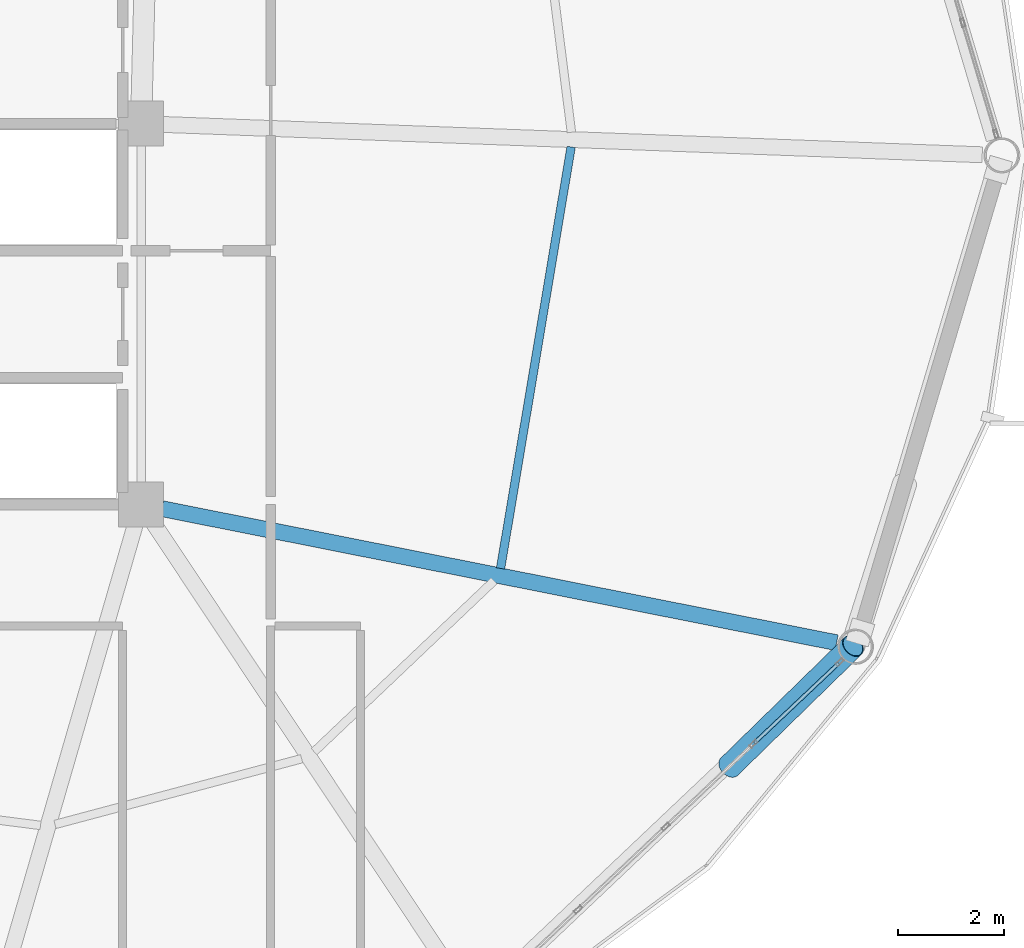
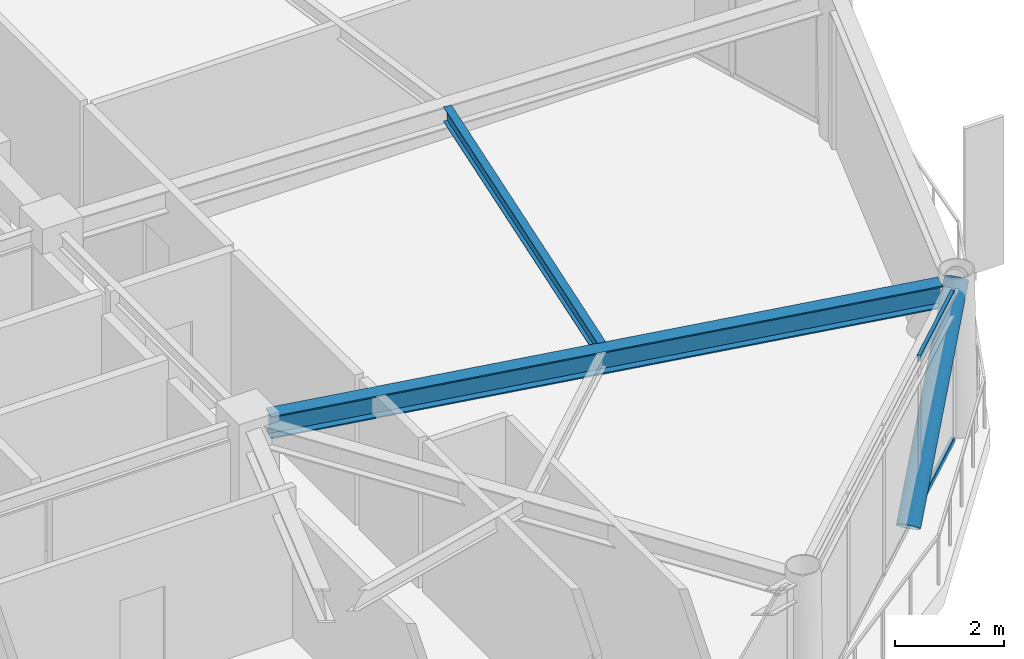
# One storey, part 10 of 25: 3 members, 2 beams, 1 element without a shape of its own.
"""IFC4 building model written with IfcOpenShell, lengths in metres."""

import ifcopenshell
import ifcopenshell.guid

model = None  # the IFC model being written
_history = None  # IfcOwnerHistory: only IFC2X3 demands one
_inside = {}  # id of a spatial element -> (the spatial element, [elements in it])
_under = {}  # id of a project, library or spatial element -> (it, [spatial elements below it])
_declared = {}  # id of a project -> (the project, [libraries it declares])
_typed = {}  # id of a type object -> (the type object, [elements of that type])
_made_of = {}  # id of a material, layer set ... -> (it, [elements and type objects made of it])


def new_model(schema):
    """Start an empty IFC model of exactly this schema.

    Asked for "IFC4X3", IfcOpenShell would pick the latest addendum, in which some entities
    have other attributes; the version numbers below select the first issue.
    IFC2X3 requires an IfcOwnerHistory on every rooted entity: one is made here for all.
    """
    global model, _history
    if schema == "IFC4X3":
        model = ifcopenshell.file(schema_version=(4, 3, 0, 0))
    else:
        model = ifcopenshell.file(schema=schema)
    _inside.clear()
    _under.clear()
    _declared.clear()
    _typed.clear()
    _made_of.clear()
    _history = None
    if model.schema == "IFC2X3":
        org = make("IfcOrganization", Name="unknown")
        user = make(
            "IfcPersonAndOrganization",
            ThePerson=make("IfcPerson", FamilyName="unknown"),
            TheOrganization=org,
        )
        app = make(
            "IfcApplication",
            ApplicationDeveloper=org,
            Version="unknown",
            ApplicationFullName="unknown",
            ApplicationIdentifier="unknown",
        )
        _history = make(
            "IfcOwnerHistory",
            OwningUser=user,
            OwningApplication=app,
            ChangeAction="ADDED",
            CreationDate=0,
        )
    return model


def make(cls, **values):
    """One entity of the class cls with the attributes given. An attribute that is None is left unset."""
    return model.create_entity(
        cls, **{name: value for name, value in values.items() if value is not None}
    )


def rooted(cls, **values):
    """An entity with a GlobalId (a new one), such as an element, a storey or a relation."""
    return make(cls, GlobalId=ifcopenshell.guid.new(), OwnerHistory=_history, **values)


def si_unit(unit_type, name, prefix=None):
    """IfcSIUnit, for example si_unit("LENGTHUNIT", "METRE", prefix="MILLI")."""
    return make("IfcSIUnit", UnitType=unit_type, Prefix=prefix, Name=name)


def assignment(units):
    """IfcUnitAssignment: the units of a project."""
    return None if units is None else make("IfcUnitAssignment", Units=units)


def point(xyz):
    """IfcCartesianPoint."""
    return None if xyz is None else make("IfcCartesianPoint", Coordinates=xyz)


def direction(xyz):
    """IfcDirection."""
    return None if xyz is None else make("IfcDirection", DirectionRatios=xyz)


def frame(location, z_axis=None, x_axis=None):
    """IfcAxis2Placement3D, a coordinate frame: its origin and axes. An axis left out is left unset."""
    return make(
        "IfcAxis2Placement3D",
        Location=point(location),
        Axis=direction(z_axis),
        RefDirection=direction(x_axis),
    )


def frame_2d(location, x_axis=None):
    """IfcAxis2Placement2D, a coordinate frame in the plane: its origin and x axis."""
    return make(
        "IfcAxis2Placement2D", Location=point(location), RefDirection=direction(x_axis)
    )


def origin():
    """The frame at (0, 0, 0) with its axes left unset."""
    return frame((0.0, 0.0, 0.0))


def origin_2d():
    """The frame at (0, 0) in the plane with its x axis left unset."""
    return frame_2d((0.0, 0.0))


def place(relative_to, where):
    """IfcLocalPlacement: puts the frame where relative to a parent placement (None: the world)."""
    return make(
        "IfcLocalPlacement", PlacementRelTo=relative_to, RelativePlacement=where
    )


def context(
    kind, dimensions, precision=None, world=None, true_north=None, identifier=None
):
    """IfcGeometricRepresentationContext, for example the 3D "Model" context."""
    return make(
        "IfcGeometricRepresentationContext",
        ContextIdentifier=identifier,
        ContextType=kind,
        CoordinateSpaceDimension=dimensions,
        Precision=precision,
        WorldCoordinateSystem=world,
        TrueNorth=true_north,
    )


def subcontext(parent, identifier, kind, view, scale=None):
    """IfcGeometricRepresentationSubContext, for example "Body" below "Model"."""
    return make(
        "IfcGeometricRepresentationSubContext",
        ContextIdentifier=identifier,
        ContextType=kind,
        ParentContext=parent,
        TargetScale=scale,
        TargetView=view,
    )


def project(units=None, contexts=None):
    """IfcProject with its units and contexts."""
    return rooted(
        "IfcProject",
        Name="project",
        RepresentationContexts=contexts,
        UnitsInContext=assignment(units),
    )


def spatial(cls, under=None, at=None, **own):
    """A site, building, storey or space (cls), placed at a placement, below another one or the project."""
    s = rooted(cls, ObjectPlacement=at, **own)
    if under is not None:
        _under.setdefault(under.id(), (under, []))[1].append(s)
    return s


def profile(cls, at=None, kind="AREA", **sizes):
    """A parametric profile (cls). Its sizes go by their IFC names, for example OverallWidth=200.0."""
    return make(cls, ProfileType=kind, Position=at, **sizes)


def hollow_rectangle(**sizes):
    """IfcRectangleHollowProfileDef."""
    return profile("IfcRectangleHollowProfileDef", **sizes)


def hollow_circle(**sizes):
    """IfcCircleHollowProfileDef."""
    return profile("IfcCircleHollowProfileDef", **sizes)


def i_section(**sizes):
    """IfcIShapeProfileDef."""
    return profile("IfcIShapeProfileDef", **sizes)


def extrude(swept, where, along, depth):
    """IfcExtrudedAreaSolid: the profile swept, set in the frame where, extruded along a direction by depth."""
    return make(
        "IfcExtrudedAreaSolid",
        SweptArea=swept,
        Position=where,
        ExtrudedDirection=direction(along),
        Depth=depth,
    )


def shape(context_of_items, identifier, shape_type, items):
    """IfcShapeRepresentation: the items that make up one representation, for example the "Body"."""
    return make(
        "IfcShapeRepresentation",
        ContextOfItems=context_of_items,
        RepresentationIdentifier=identifier,
        RepresentationType=shape_type,
        Items=items,
    )


def material(Name=None, Category=None):
    """IfcMaterial."""
    return make("IfcMaterial", Name=Name, Category=Category)


def layer(
    of_material, thickness, ventilated=None, Name=None, Category=None, Priority=None
):
    """IfcMaterialLayer: one layer of a wall or slab, of a material (None: an air gap)."""
    return make(
        "IfcMaterialLayer",
        Material=of_material,
        LayerThickness=thickness,
        IsVentilated=ventilated,
        Name=Name,
        Category=Category,
        Priority=Priority,
    )


def layer_set(layers, Name=None):
    """IfcMaterialLayerSet."""
    return make("IfcMaterialLayerSet", MaterialLayers=layers, LayerSetName=Name)


def material_profile(
    of_material, cross_section, Name=None, Category=None, Priority=None
):
    """IfcMaterialProfile: a cross section and its material."""
    return make(
        "IfcMaterialProfile",
        Name=Name,
        Material=of_material,
        Profile=cross_section,
        Priority=Priority,
        Category=Category,
    )


def profile_set(profiles, Name=None, composite=None):
    """IfcMaterialProfileSet."""
    return make(
        "IfcMaterialProfileSet",
        Name=Name,
        MaterialProfiles=profiles,
        CompositeProfile=composite,
    )


def made_of(thing, what):
    """Note that an element or type object is made of a material, layer set ...; save() writes the relation."""
    if what is not None:
        _made_of.setdefault(what.id(), (what, []))[1].append(thing)
    return thing


def type_object(cls, material=None, **own):
    """A type object (cls), such as IfcWallType, which elements share."""
    return made_of(rooted(cls, **own), material)


def element(
    cls,
    number,
    at=None,
    inside=None,
    cuts=None,
    type_object=None,
    material=None,
    context=None,
    identifier="Body",
    shape_type=None,
    held_by="IfcProductDefinitionShape",
    body=None,
    shapes=None,
    **own,
):
    """One element of the class cls, such as IfcWall. Its Tag is "e" and its number.

    at: its placement. inside: the storey or other place that contains it. cuts: it is an
    opening in that element (IfcRelVoidsElement). A single representation is given by context,
    identifier, shape_type and body (its items); several are given by shapes. held_by: the class
    of the entity that holds the representations. save() writes the other relations.
    """
    e = rooted(cls, Tag="e%d" % number, ObjectPlacement=at, **own)
    if body is not None:
        shapes = [shape(context, identifier, shape_type, body)]
    if shapes is not None:
        e.Representation = make(held_by, Representations=shapes)
    if inside is not None:
        _inside.setdefault(inside.id(), (inside, []))[1].append(e)
    if cuts is not None:
        rooted(
            "IfcRelVoidsElement", RelatingBuildingElement=cuts, RelatedOpeningElement=e
        )
    if type_object is not None:
        _typed.setdefault(type_object.id(), (type_object, []))[1].append(e)
    return made_of(e, material)


def aggregate(whole, parts):
    """IfcRelAggregates: a whole, such as a stair, and the parts it consists of."""
    return rooted("IfcRelAggregates", RelatingObject=whole, RelatedObjects=parts)


def save(model, path):
    """Write the relations noted so far, then the file.

    IfcRelAggregates (storeys below a building ...), IfcRelContainedInSpatialStructure (elements
    in a storey), IfcRelDefinesByType, IfcRelAssociatesMaterial and IfcRelDeclares: one each for
    every whole, place, type object, material and project.
    """
    for whole, parts in _under.values():
        aggregate(whole, parts)
    for where, things in _inside.values():
        rooted(
            "IfcRelContainedInSpatialStructure",
            RelatedElements=things,
            RelatingStructure=where,
        )
    for kind, things in _typed.values():
        rooted("IfcRelDefinesByType", RelatedObjects=things, RelatingType=kind)
    for what, things in _made_of.values():
        rooted("IfcRelAssociatesMaterial", RelatedObjects=things, RelatingMaterial=what)
    for by, libraries in _declared.values():
        rooted("IfcRelDeclares", RelatingContext=by, RelatedDefinitions=libraries)
    model.write(path)


model = new_model("IFC4")

# Units and contexts
model_context = context("Model", 3, precision=1e-05, world=origin(), true_north=direction((0.0, 1.0)))
body_context = subcontext(model_context, "Body", "Model", "MODEL_VIEW")
ifc_project = project(units=[si_unit("LENGTHUNIT", "METRE"), si_unit("AREAUNIT", "SQUARE_METRE"), si_unit("VOLUMEUNIT", "CUBIC_METRE"), si_unit("PLANEANGLEUNIT", "RADIAN"), si_unit("MASSUNIT", "GRAM", prefix="KILO")], contexts=[model_context])

# Site, building, storey
site_placement = place(None, origin())
site = spatial("IfcSite", under=ifc_project, at=site_placement, CompositionType="ELEMENT")
building_placement = place(site_placement, origin())
building = spatial("IfcBuilding", under=site, at=building_placement, Name="Varnakorn Sky Granary", CompositionType="ELEMENT")
storey_placement = place(building_placement, frame((0.0, 0.0, 178.800048828125)))
storey = spatial("IfcBuildingStorey", under=building, at=storey_placement, Name="L44", CompositionType="ELEMENT", Elevation=178.800048828125)

# Beams
ifc_material_1 = material(Name="Steel S355JR", Category="steel")
ifc_material_profile_1 = material_profile(ifc_material_1, i_section(OverallWidth=0.300048828125, OverallDepth=0.5, WebThickness=0.014404296875, FlangeThickness=0.028076171875, at=origin_2d()), Name="HE 500 B")
ifc_profile_set_1 = profile_set([ifc_material_profile_1], Name="Steel S355JR")
beam_type_1 = type_object("IfcBeamType", Name="BM-RAD-Z4", PredefinedType="BEAM", material=ifc_profile_set_1)
beam_1_placement = place(storey_placement, frame((8.747314453125, -6.678955078125, 3.10986328125), z_axis=(0.980829804412, -0.194866351062, 0.0), x_axis=(0.194866351062, 0.980829804412, 0.0)))
element("IfcBeam", 1, at=beam_1_placement, inside=storey, type_object=beam_type_1, Name="Radial Floor Girder RG12 L44", PredefinedType="BEAM", context=body_context, shape_type="SweptSolid", body=[
    extrude(i_section(OverallWidth=0.300048828125, OverallDepth=0.5, WebThickness=0.014404296875, FlangeThickness=0.028076171875, at=origin_2d()), origin(), (0.0, 0.0, 1.0), 12.999755859375),
])
ifc_material_profile_2 = material_profile(ifc_material_1, i_section(OverallWidth=0.159912109375, OverallDepth=0.330078125, WebThickness=0.007568359375, FlangeThickness=0.011474609375, at=origin_2d()), Name="IPE 330")
ifc_profile_set_2 = profile_set([ifc_material_profile_2], Name="Steel S355JR")
beam_type_2 = type_object("IfcBeamType", Name="BM-SEC-Z4", PredefinedType="BEAM", material=ifc_profile_set_2)
beam_2_placement = place(storey_placement, frame((15.1455078125, -7.807373046875, 3.195068359375), z_axis=(0.16509975663, 0.986276873074, 0.0), x_axis=(-0.986276873074, 0.16509975663, 0.0)))
element("IfcBeam", 2, at=beam_2_placement, inside=storey, type_object=beam_type_2, Name="Secondary Floor Chord Beam MSB12 L44", PredefinedType="BEAM", context=body_context, shape_type="SweptSolid", body=[
    extrude(i_section(OverallWidth=0.159912109375, OverallDepth=0.330078125, WebThickness=0.007568359375, FlangeThickness=0.011474609375, at=origin_2d()), origin(), (0.0, 0.0, 1.0), 8.078369140625),
])

# Curtain wall, members
ifc_material_2 = material(Name="Anodised Bronze Aluminium Alloy 6063-T6", Category="aluminium")
ifc_layer = layer(ifc_material_2, 0.169921875, Name="Anodised Bronze Aluminium Alloy 6063-T6")
ifc_layer_set = layer_set([ifc_layer], Name="Anodised Bronze Aluminium Alloy 6063-T6")
curtain_wall_type = type_object("IfcCurtainWallType", Name="CW-LAB-1", PredefinedType="USERDEFINED", material=ifc_layer_set)
curtain_wall_placement = place(storey_placement, origin())
curtain_wall = element("IfcCurtainWall", 3, at=curtain_wall_placement, inside=storey, type_object=curtain_wall_type, Name="Unitised Curtain Wall CW5 CW-L44-B11", ObjectType="CURTAIN WALL", PredefinedType="USERDEFINED")
ifc_material_profile_3 = material_profile(ifc_material_2, hollow_rectangle(XDim=0.070068359375, YDim=0.139892578125, WallThickness=0.00341796875, at=origin_2d()), Name="ALU TRAN 70x140")
ifc_profile_set_3 = profile_set([ifc_material_profile_3], Name="Anodised Bronze Aluminium Alloy 6063-T6")
member_type_1 = type_object("IfcMemberType", Name="CW-LAB-1-TRAN", PredefinedType="USERDEFINED", material=ifc_profile_set_3)
member_1_placement = place(storey_placement, frame((21.5341796875, -9.603271484375, 0.034912109375), z_axis=(-0.726525784747, -0.687139202854, 0.0), x_axis=(0.687139202854, -0.726525784747, 0.0)))
member_1 = element("IfcMember", 4, at=member_1_placement, type_object=member_type_1, Name="CW5 transom 1.1", ObjectType="TRANSOM", PredefinedType="USERDEFINED", context=body_context, shape_type="SweptSolid", body=[
    extrude(hollow_rectangle(XDim=0.070068359375, YDim=0.139892578125, WallThickness=0.00341796875, at=origin_2d()), origin(), (0.0, 0.0, 1.0), 2.181884765625),
])
member_2_placement = place(storey_placement, frame((21.5341796875, -9.603271484375, 3.324951171875), z_axis=(-0.726525784747, -0.687139202854, 0.0), x_axis=(0.687139202854, -0.726525784747, 0.0)))
member_2 = element("IfcMember", 5, at=member_2_placement, type_object=member_type_1, Name="CW5 transom 1.2", ObjectType="TRANSOM", PredefinedType="USERDEFINED", context=body_context, shape_type="SweptSolid", body=[
    extrude(hollow_rectangle(XDim=0.070068359375, YDim=0.139892578125, WallThickness=0.00341796875, at=origin_2d()), origin(), (0.0, 0.0, 1.0), 2.181884765625),
])
aggregate(curtain_wall, [member_1, member_2])

# Member
ifc_material_3 = material(Name="Steel S460M", Category="steel")
ifc_material_profile_4 = material_profile(ifc_material_3, hollow_circle(Radius=0.228515625, WallThickness=0.01611328125, at=origin_2d()), Name="CHS 457x16")
ifc_profile_set_4 = profile_set([ifc_material_profile_4], Name="Steel S460M")
member_type_2 = type_object("IfcMemberType", Name="MB-DIAG-T3", PredefinedType="BRACE", material=ifc_profile_set_4)
member_3_placement = place(storey_placement, frame((19.4677734375, -11.5576171875, 0.0), z_axis=(0.498954289496, 0.487236857585, 0.716690213135), x_axis=(-0.698655977756, 0.71545777286, 0.0)))
element("IfcMember", 6, at=member_3_placement, inside=storey, type_object=member_type_2, Name="Perimeter CHS Diagrid Brace DG11 L44", PredefinedType="BRACE", context=body_context, shape_type="SweptSolid", body=[
    extrude(hollow_circle(Radius=0.228515625, WallThickness=0.01611328125, at=origin_2d()), origin(), (0.0, 0.0, 1.0), 4.68798828125),
])

save(model, "model.ifc")
